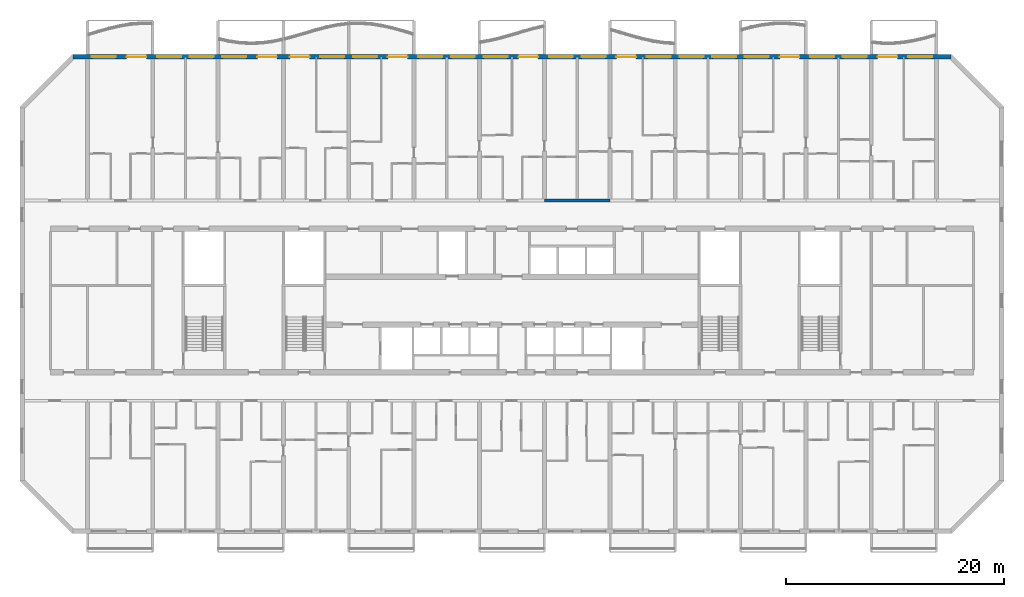
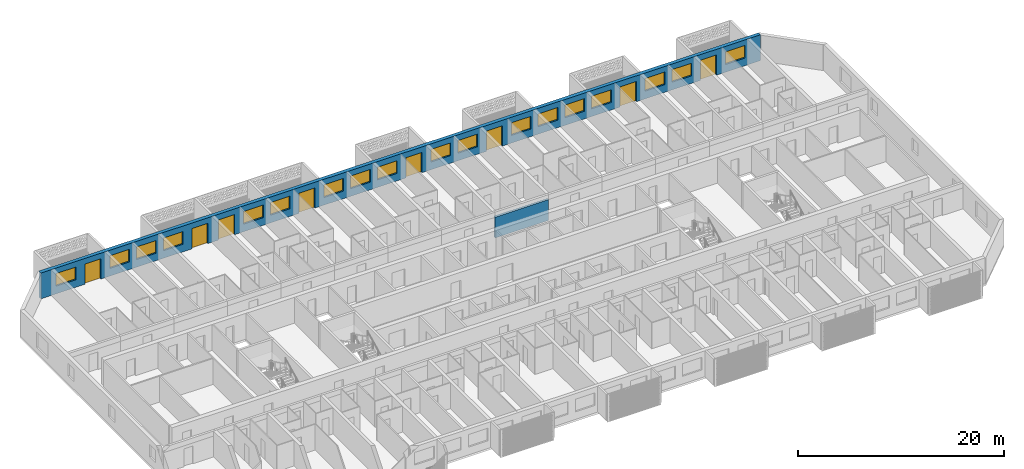
# One storey, part 12 of 25: 18 windows, 8 doors, 2 walls, 26 openings.
"""IFC4 building model written with IfcOpenShell, lengths in metres."""

from ifc_helpers import new_model, si_unit, direction, frame, frame_2d, origin, place, context, subcontext, project, spatial, rectangle, extrude, material, layer, layer_set, type_object, element, fill, save


model = new_model("IFC4")

# Units and contexts
model_context = context("Model", 3, precision=1e-05, world=origin(), true_north=direction((0.0, 1.0)))
body_context = subcontext(model_context, "Body", "Model", "MODEL_VIEW")
ifc_project = project(units=[si_unit("LENGTHUNIT", "METRE"), si_unit("AREAUNIT", "SQUARE_METRE"), si_unit("VOLUMEUNIT", "CUBIC_METRE"), si_unit("PLANEANGLEUNIT", "RADIAN"), si_unit("MASSUNIT", "GRAM", prefix="KILO")], contexts=[model_context])

# Site, building, storey
site_placement = place(None, origin())
site = spatial("IfcSite", under=ifc_project, at=site_placement, CompositionType="ELEMENT")
building_placement = place(site_placement, origin())
building = spatial("IfcBuilding", under=site, at=building_placement, Name="Poui Terraces", CompositionType="ELEMENT")
storey_placement = place(building_placement, frame((0.0, 0.0, 89.39990234375)))
storey = spatial("IfcBuildingStorey", under=building, at=storey_placement, Name="L24", CompositionType="ELEMENT", Elevation=89.39990234375)

# Wall
ifc_material_1 = material(Name="Concrete 65 MPa", Category="concrete")
ifc_layer_1 = layer(ifc_material_1, 0.25)
ifc_layer_set_1 = layer_set([ifc_layer_1], Name="Concrete 65 MPa")
wall_type_1 = type_object("IfcWallType", Name="CORRIDOR WALL 250 65MPa", PredefinedType="SHEAR", material=ifc_layer_set_1)
wall_1_placement = place(storey_placement, frame((54.0, 30.39990234375, 0.0), z_axis=(0.0, 0.0, 1.0), x_axis=(1.0, 0.0, 0.0)))
element("IfcWall", 1, at=wall_1_placement, inside=storey, type_object=wall_type_1, Name="CORRIDOR WALL LINE E BAY 9", PredefinedType="SHEAR", context=body_context, shape_type="SweptSolid", body=[
    extrude(rectangle(XDim=6.0, YDim=0.25, at=frame_2d((3.0, 0.0))), origin(), (0.0, 0.0, 1.0), 2.460205078125),
])

# Wall, openings, doors, windows
ifc_material_2 = material(Name="Precast concrete 40 MPa", Category="concrete")
ifc_layer_2 = layer(ifc_material_2, 0.39990234375)
ifc_layer_set_2 = layer_set([ifc_layer_2], Name="Precast concrete 40 MPa")
wall_type_2 = type_object("IfcWallType", Name="EXTERNAL WALL 400", PredefinedType="STANDARD", material=ifc_layer_set_2)
wall_2_placement = place(storey_placement, frame((91.317138671875, 43.60009765625, 0.0), z_axis=(0.0, 0.0, 1.0), x_axis=(-1.0, 0.0, 0.0)))
wall_2 = element("IfcWall", 2, at=wall_2_placement, inside=storey, type_object=wall_type_2, Name="EXTERNAL WALL N", PredefinedType="STANDARD", context=body_context, shape_type="SweptSolid", body=[
    extrude(rectangle(XDim=80.63427734375, YDim=0.39990234375, at=frame_2d((40.317138671875, 0.0))), origin(), (0.0, 0.0, 1.0), 3.06005859375),
])
opening_1_placement = place(wall_2_placement, frame((76.71728515625, 0.0, 0.89990234375)))
opening_1 = element("IfcOpeningElement", 3, at=opening_1_placement, cuts=wall_2, Name="Opening W1", PredefinedType="OPENING", context=body_context, shape_type="SweptSolid", body=[
    extrude(rectangle(XDim=2.199951171875, YDim=1.5, at=frame_2d((1.10009765625, 0.75))), frame((0.0, 0.2099609375, 0.0), z_axis=(0.0, -1.0, 0.0), x_axis=(1.0, 0.0, 0.0)), (0.0, 0.0, 1.0), 0.419921875),
])
opening_2_placement = place(wall_2_placement, frame((73.917236328125, 0.0, 0.0)))
opening_2 = element("IfcOpeningElement", 4, at=opening_2_placement, cuts=wall_2, Name="Opening BD1", PredefinedType="OPENING", context=body_context, shape_type="SweptSolid", body=[
    extrude(rectangle(XDim=1.800048828125, YDim=2.39990234375, at=frame_2d((0.89990234375, 1.199951171875))), frame((0.0, 0.2099609375, 0.0), z_axis=(0.0, -1.0, 0.0), x_axis=(1.0, 0.0, 0.0)), (0.0, 0.0, 1.0), 0.419921875),
])
opening_3_placement = place(wall_2_placement, frame((70.71728515625, 0.0, 0.89990234375)))
opening_3 = element("IfcOpeningElement", 5, at=opening_3_placement, cuts=wall_2, Name="Opening W1", PredefinedType="OPENING", context=body_context, shape_type="SweptSolid", body=[
    extrude(rectangle(XDim=2.199951171875, YDim=1.5, at=frame_2d((1.10009765625, 0.75))), frame((0.0, 0.2099609375, 0.0), z_axis=(0.0, -1.0, 0.0), x_axis=(1.0, 0.0, 0.0)), (0.0, 0.0, 1.0), 0.419921875),
])
opening_4_placement = place(wall_2_placement, frame((67.71728515625, 0.0, 0.89990234375)))
opening_4 = element("IfcOpeningElement", 6, at=opening_4_placement, cuts=wall_2, Name="Opening W1", PredefinedType="OPENING", context=body_context, shape_type="SweptSolid", body=[
    extrude(rectangle(XDim=2.199951171875, YDim=1.5, at=frame_2d((1.10009765625, 0.75))), frame((0.0, 0.2099609375, 0.0), z_axis=(0.0, -1.0, 0.0), x_axis=(1.0, 0.0, 0.0)), (0.0, 0.0, 1.0), 0.419921875),
])
opening_5_placement = place(wall_2_placement, frame((64.71728515625, 0.0, 0.89990234375)))
opening_5 = element("IfcOpeningElement", 7, at=opening_5_placement, cuts=wall_2, Name="Opening W1", PredefinedType="OPENING", context=body_context, shape_type="SweptSolid", body=[
    extrude(rectangle(XDim=2.199951171875, YDim=1.5, at=frame_2d((1.10009765625, 0.75))), frame((0.0, 0.2099609375, 0.0), z_axis=(0.0, -1.0, 0.0), x_axis=(1.0, 0.0, 0.0)), (0.0, 0.0, 1.0), 0.419921875),
])
opening_6_placement = place(wall_2_placement, frame((61.917236328125, 0.0, 0.0)))
opening_6 = element("IfcOpeningElement", 8, at=opening_6_placement, cuts=wall_2, Name="Opening BD1", PredefinedType="OPENING", context=body_context, shape_type="SweptSolid", body=[
    extrude(rectangle(XDim=1.800048828125, YDim=2.39990234375, at=frame_2d((0.89990234375, 1.199951171875))), frame((0.0, 0.2099609375, 0.0), z_axis=(0.0, -1.0, 0.0), x_axis=(1.0, 0.0, 0.0)), (0.0, 0.0, 1.0), 0.419921875),
])
opening_7_placement = place(wall_2_placement, frame((58.917236328125, 0.0, 0.0)))
opening_7 = element("IfcOpeningElement", 9, at=opening_7_placement, cuts=wall_2, Name="Opening BD1", PredefinedType="OPENING", context=body_context, shape_type="SweptSolid", body=[
    extrude(rectangle(XDim=1.800048828125, YDim=2.39990234375, at=frame_2d((0.89990234375, 1.199951171875))), frame((0.0, 0.2099609375, 0.0), z_axis=(0.0, -1.0, 0.0), x_axis=(1.0, 0.0, 0.0)), (0.0, 0.0, 1.0), 0.419921875),
])
opening_8_placement = place(wall_2_placement, frame((55.71728515625, 0.0, 0.89990234375)))
opening_8 = element("IfcOpeningElement", 10, at=opening_8_placement, cuts=wall_2, Name="Opening W1", PredefinedType="OPENING", context=body_context, shape_type="SweptSolid", body=[
    extrude(rectangle(XDim=2.199951171875, YDim=1.5, at=frame_2d((1.10009765625, 0.75))), frame((0.0, 0.2099609375, 0.0), z_axis=(0.0, -1.0, 0.0), x_axis=(1.0, 0.0, 0.0)), (0.0, 0.0, 1.0), 0.419921875),
])
opening_9_placement = place(wall_2_placement, frame((52.71728515625, 0.0, 0.89990234375)))
opening_9 = element("IfcOpeningElement", 11, at=opening_9_placement, cuts=wall_2, Name="Opening W1", PredefinedType="OPENING", context=body_context, shape_type="SweptSolid", body=[
    extrude(rectangle(XDim=2.199951171875, YDim=1.5, at=frame_2d((1.10009765625, 0.75))), frame((0.0, 0.2099609375, 0.0), z_axis=(0.0, -1.0, 0.0), x_axis=(1.0, 0.0, 0.0)), (0.0, 0.0, 1.0), 0.419921875),
])
opening_10_placement = place(wall_2_placement, frame((49.917236328125, 0.0, 0.0)))
opening_10 = element("IfcOpeningElement", 12, at=opening_10_placement, cuts=wall_2, Name="Opening BD1", PredefinedType="OPENING", context=body_context, shape_type="SweptSolid", body=[
    extrude(rectangle(XDim=1.800048828125, YDim=2.39990234375, at=frame_2d((0.89990234375, 1.199951171875))), frame((0.0, 0.2099609375, 0.0), z_axis=(0.0, -1.0, 0.0), x_axis=(1.0, 0.0, 0.0)), (0.0, 0.0, 1.0), 0.419921875),
])
opening_11_placement = place(wall_2_placement, frame((46.71728515625, 0.0, 0.89990234375)))
opening_11 = element("IfcOpeningElement", 13, at=opening_11_placement, cuts=wall_2, Name="Opening W1", PredefinedType="OPENING", context=body_context, shape_type="SweptSolid", body=[
    extrude(rectangle(XDim=2.199951171875, YDim=1.5, at=frame_2d((1.10009765625, 0.75))), frame((0.0, 0.2099609375, 0.0), z_axis=(0.0, -1.0, 0.0), x_axis=(1.0, 0.0, 0.0)), (0.0, 0.0, 1.0), 0.419921875),
])
opening_12_placement = place(wall_2_placement, frame((43.71728515625, 0.0, 0.89990234375)))
opening_12 = element("IfcOpeningElement", 14, at=opening_12_placement, cuts=wall_2, Name="Opening W1", PredefinedType="OPENING", context=body_context, shape_type="SweptSolid", body=[
    extrude(rectangle(XDim=2.199951171875, YDim=1.5, at=frame_2d((1.10009765625, 0.75))), frame((0.0, 0.2099609375, 0.0), z_axis=(0.0, -1.0, 0.0), x_axis=(1.0, 0.0, 0.0)), (0.0, 0.0, 1.0), 0.419921875),
])
opening_13_placement = place(wall_2_placement, frame((40.71728515625, 0.0, 0.89990234375)))
opening_13 = element("IfcOpeningElement", 15, at=opening_13_placement, cuts=wall_2, Name="Opening W1", PredefinedType="OPENING", context=body_context, shape_type="SweptSolid", body=[
    extrude(rectangle(XDim=2.199951171875, YDim=1.5, at=frame_2d((1.10009765625, 0.75))), frame((0.0, 0.2099609375, 0.0), z_axis=(0.0, -1.0, 0.0), x_axis=(1.0, 0.0, 0.0)), (0.0, 0.0, 1.0), 0.419921875),
])
opening_14_placement = place(wall_2_placement, frame((37.917236328125, 0.0, 0.0)))
opening_14 = element("IfcOpeningElement", 16, at=opening_14_placement, cuts=wall_2, Name="Opening BD1", PredefinedType="OPENING", context=body_context, shape_type="SweptSolid", body=[
    extrude(rectangle(XDim=1.800048828125, YDim=2.39990234375, at=frame_2d((0.89990234375, 1.199951171875))), frame((0.0, 0.2099609375, 0.0), z_axis=(0.0, -1.0, 0.0), x_axis=(1.0, 0.0, 0.0)), (0.0, 0.0, 1.0), 0.419921875),
])
opening_15_placement = place(wall_2_placement, frame((34.71728515625, 0.0, 0.89990234375)))
opening_15 = element("IfcOpeningElement", 17, at=opening_15_placement, cuts=wall_2, Name="Opening W1", PredefinedType="OPENING", context=body_context, shape_type="SweptSolid", body=[
    extrude(rectangle(XDim=2.199951171875, YDim=1.5, at=frame_2d((1.10009765625, 0.75))), frame((0.0, 0.2099609375, 0.0), z_axis=(0.0, -1.0, 0.0), x_axis=(1.0, 0.0, 0.0)), (0.0, 0.0, 1.0), 0.419921875),
])
opening_16_placement = place(wall_2_placement, frame((31.71728515625, 0.0, 0.89990234375)))
opening_16 = element("IfcOpeningElement", 18, at=opening_16_placement, cuts=wall_2, Name="Opening W1", PredefinedType="OPENING", context=body_context, shape_type="SweptSolid", body=[
    extrude(rectangle(XDim=2.199951171875, YDim=1.5, at=frame_2d((1.10009765625, 0.75))), frame((0.0, 0.2099609375, 0.0), z_axis=(0.0, -1.0, 0.0), x_axis=(1.0, 0.0, 0.0)), (0.0, 0.0, 1.0), 0.419921875),
])
opening_17_placement = place(wall_2_placement, frame((28.917236328125, 0.0, 0.0)))
opening_17 = element("IfcOpeningElement", 19, at=opening_17_placement, cuts=wall_2, Name="Opening BD1", PredefinedType="OPENING", context=body_context, shape_type="SweptSolid", body=[
    extrude(rectangle(XDim=1.800048828125, YDim=2.39990234375, at=frame_2d((0.89990234375, 1.199951171875))), frame((0.0, 0.2099609375, 0.0), z_axis=(0.0, -1.0, 0.0), x_axis=(1.0, 0.0, 0.0)), (0.0, 0.0, 1.0), 0.419921875),
])
opening_18_placement = place(wall_2_placement, frame((25.71728515625, 0.0, 0.89990234375)))
opening_18 = element("IfcOpeningElement", 20, at=opening_18_placement, cuts=wall_2, Name="Opening W1", PredefinedType="OPENING", context=body_context, shape_type="SweptSolid", body=[
    extrude(rectangle(XDim=2.199951171875, YDim=1.5, at=frame_2d((1.10009765625, 0.75))), frame((0.0, 0.2099609375, 0.0), z_axis=(0.0, -1.0, 0.0), x_axis=(1.0, 0.0, 0.0)), (0.0, 0.0, 1.0), 0.419921875),
])
opening_19_placement = place(wall_2_placement, frame((22.71728515625, 0.0, 0.89990234375)))
opening_19 = element("IfcOpeningElement", 21, at=opening_19_placement, cuts=wall_2, Name="Opening W1", PredefinedType="OPENING", context=body_context, shape_type="SweptSolid", body=[
    extrude(rectangle(XDim=2.199951171875, YDim=1.5, at=frame_2d((1.10009765625, 0.75))), frame((0.0, 0.2099609375, 0.0), z_axis=(0.0, -1.0, 0.0), x_axis=(1.0, 0.0, 0.0)), (0.0, 0.0, 1.0), 0.419921875),
])
opening_20_placement = place(wall_2_placement, frame((19.71728515625, 0.0, 0.89990234375)))
opening_20 = element("IfcOpeningElement", 22, at=opening_20_placement, cuts=wall_2, Name="Opening W1", PredefinedType="OPENING", context=body_context, shape_type="SweptSolid", body=[
    extrude(rectangle(XDim=2.199951171875, YDim=1.5, at=frame_2d((1.10009765625, 0.75))), frame((0.0, 0.2099609375, 0.0), z_axis=(0.0, -1.0, 0.0), x_axis=(1.0, 0.0, 0.0)), (0.0, 0.0, 1.0), 0.419921875),
])
opening_21_placement = place(wall_2_placement, frame((16.71728515625, 0.0, 0.89990234375)))
opening_21 = element("IfcOpeningElement", 23, at=opening_21_placement, cuts=wall_2, Name="Opening W1", PredefinedType="OPENING", context=body_context, shape_type="SweptSolid", body=[
    extrude(rectangle(XDim=2.199951171875, YDim=1.5, at=frame_2d((1.10009765625, 0.75))), frame((0.0, 0.2099609375, 0.0), z_axis=(0.0, -1.0, 0.0), x_axis=(1.0, 0.0, 0.0)), (0.0, 0.0, 1.0), 0.419921875),
])
opening_22_placement = place(wall_2_placement, frame((13.917236328125, 0.0, 0.0)))
opening_22 = element("IfcOpeningElement", 24, at=opening_22_placement, cuts=wall_2, Name="Opening BD1", PredefinedType="OPENING", context=body_context, shape_type="SweptSolid", body=[
    extrude(rectangle(XDim=1.800048828125, YDim=2.39990234375, at=frame_2d((0.89990234375, 1.199951171875))), frame((0.0, 0.2099609375, 0.0), z_axis=(0.0, -1.0, 0.0), x_axis=(1.0, 0.0, 0.0)), (0.0, 0.0, 1.0), 0.419921875),
])
opening_23_placement = place(wall_2_placement, frame((10.71728515625, 0.0, 0.89990234375)))
opening_23 = element("IfcOpeningElement", 25, at=opening_23_placement, cuts=wall_2, Name="Opening W1", PredefinedType="OPENING", context=body_context, shape_type="SweptSolid", body=[
    extrude(rectangle(XDim=2.199951171875, YDim=1.5, at=frame_2d((1.10009765625, 0.75))), frame((0.0, 0.2099609375, 0.0), z_axis=(0.0, -1.0, 0.0), x_axis=(1.0, 0.0, 0.0)), (0.0, 0.0, 1.0), 0.419921875),
])
opening_24_placement = place(wall_2_placement, frame((7.71728515625, 0.0, 0.89990234375)))
opening_24 = element("IfcOpeningElement", 26, at=opening_24_placement, cuts=wall_2, Name="Opening W1", PredefinedType="OPENING", context=body_context, shape_type="SweptSolid", body=[
    extrude(rectangle(XDim=2.199951171875, YDim=1.5, at=frame_2d((1.10009765625, 0.75))), frame((0.0, 0.2099609375, 0.0), z_axis=(0.0, -1.0, 0.0), x_axis=(1.0, 0.0, 0.0)), (0.0, 0.0, 1.0), 0.419921875),
])
opening_25_placement = place(wall_2_placement, frame((4.917236328125, 0.0, 0.0)))
opening_25 = element("IfcOpeningElement", 27, at=opening_25_placement, cuts=wall_2, Name="Opening BD1", PredefinedType="OPENING", context=body_context, shape_type="SweptSolid", body=[
    extrude(rectangle(XDim=1.800048828125, YDim=2.39990234375, at=frame_2d((0.89990234375, 1.199951171875))), frame((0.0, 0.2099609375, 0.0), z_axis=(0.0, -1.0, 0.0), x_axis=(1.0, 0.0, 0.0)), (0.0, 0.0, 1.0), 0.419921875),
])
opening_26_placement = place(wall_2_placement, frame((1.71728515625, 0.0, 0.89990234375)))
opening_26 = element("IfcOpeningElement", 28, at=opening_26_placement, cuts=wall_2, Name="Opening W1", PredefinedType="OPENING", context=body_context, shape_type="SweptSolid", body=[
    extrude(rectangle(XDim=2.199951171875, YDim=1.5, at=frame_2d((1.10009765625, 0.75))), frame((0.0, 0.2099609375, 0.0), z_axis=(0.0, -1.0, 0.0), x_axis=(1.0, 0.0, 0.0)), (0.0, 0.0, 1.0), 0.419921875),
])
ifc_material_3 = material(Name="Clear glass in aluminium frame", Category="aluminium")
door_type = type_object("IfcDoorType", Name="BALCONY DOOR 1800X2400", OperationType="DOUBLE_DOOR_SLIDING", PredefinedType="DOOR", material=ifc_material_3)
door_1_placement = place(opening_2_placement, origin())
door_1 = element("IfcDoor", 29, at=door_1_placement, inside=storey, type_object=door_type, Name="BD1 BALCONY DOOR", OperationType="DOUBLE_DOOR_SLIDING", OverallHeight=2.39990234375, OverallWidth=1.800048828125, PredefinedType="DOOR", context=body_context, shape_type="SweptSolid", body=[
    extrude(rectangle(XDim=1.800048828125, YDim=2.39990234375, at=frame_2d((0.89990234375, 1.199951171875))), frame((0.0, 0.02490234375, 0.0), z_axis=(0.0, -1.0, 0.0), x_axis=(1.0, 0.0, 0.0)), (0.0, 0.0, 1.0), 0.050048828125),
])
fill(opening_2, door_1)
door_2_placement = place(opening_6_placement, origin())
door_2 = element("IfcDoor", 30, at=door_2_placement, inside=storey, type_object=door_type, Name="BD1 BALCONY DOOR", OperationType="DOUBLE_DOOR_SLIDING", OverallHeight=2.39990234375, OverallWidth=1.800048828125, PredefinedType="DOOR", context=body_context, shape_type="SweptSolid", body=[
    extrude(rectangle(XDim=1.800048828125, YDim=2.39990234375, at=frame_2d((0.89990234375, 1.199951171875))), frame((0.0, 0.02490234375, 0.0), z_axis=(0.0, -1.0, 0.0), x_axis=(1.0, 0.0, 0.0)), (0.0, 0.0, 1.0), 0.050048828125),
])
fill(opening_6, door_2)
door_3_placement = place(opening_7_placement, origin())
door_3 = element("IfcDoor", 31, at=door_3_placement, inside=storey, type_object=door_type, Name="BD1 BALCONY DOOR", OperationType="DOUBLE_DOOR_SLIDING", OverallHeight=2.39990234375, OverallWidth=1.800048828125, PredefinedType="DOOR", context=body_context, shape_type="SweptSolid", body=[
    extrude(rectangle(XDim=1.800048828125, YDim=2.39990234375, at=frame_2d((0.89990234375, 1.199951171875))), frame((0.0, 0.02490234375, 0.0), z_axis=(0.0, -1.0, 0.0), x_axis=(1.0, 0.0, 0.0)), (0.0, 0.0, 1.0), 0.050048828125),
])
fill(opening_7, door_3)
door_4_placement = place(opening_10_placement, origin())
door_4 = element("IfcDoor", 32, at=door_4_placement, inside=storey, type_object=door_type, Name="BD1 BALCONY DOOR", OperationType="DOUBLE_DOOR_SLIDING", OverallHeight=2.39990234375, OverallWidth=1.800048828125, PredefinedType="DOOR", context=body_context, shape_type="SweptSolid", body=[
    extrude(rectangle(XDim=1.800048828125, YDim=2.39990234375, at=frame_2d((0.89990234375, 1.199951171875))), frame((0.0, 0.02490234375, 0.0), z_axis=(0.0, -1.0, 0.0), x_axis=(1.0, 0.0, 0.0)), (0.0, 0.0, 1.0), 0.050048828125),
])
fill(opening_10, door_4)
door_5_placement = place(opening_14_placement, origin())
door_5 = element("IfcDoor", 33, at=door_5_placement, inside=storey, type_object=door_type, Name="BD1 BALCONY DOOR", OperationType="DOUBLE_DOOR_SLIDING", OverallHeight=2.39990234375, OverallWidth=1.800048828125, PredefinedType="DOOR", context=body_context, shape_type="SweptSolid", body=[
    extrude(rectangle(XDim=1.800048828125, YDim=2.39990234375, at=frame_2d((0.89990234375, 1.199951171875))), frame((0.0, 0.02490234375, 0.0), z_axis=(0.0, -1.0, 0.0), x_axis=(1.0, 0.0, 0.0)), (0.0, 0.0, 1.0), 0.050048828125),
])
fill(opening_14, door_5)
door_6_placement = place(opening_17_placement, origin())
door_6 = element("IfcDoor", 34, at=door_6_placement, inside=storey, type_object=door_type, Name="BD1 BALCONY DOOR", OperationType="DOUBLE_DOOR_SLIDING", OverallHeight=2.39990234375, OverallWidth=1.800048828125, PredefinedType="DOOR", context=body_context, shape_type="SweptSolid", body=[
    extrude(rectangle(XDim=1.800048828125, YDim=2.39990234375, at=frame_2d((0.89990234375, 1.199951171875))), frame((0.0, 0.02490234375, 0.0), z_axis=(0.0, -1.0, 0.0), x_axis=(1.0, 0.0, 0.0)), (0.0, 0.0, 1.0), 0.050048828125),
])
fill(opening_17, door_6)
door_7_placement = place(opening_22_placement, origin())
door_7 = element("IfcDoor", 35, at=door_7_placement, inside=storey, type_object=door_type, Name="BD1 BALCONY DOOR", OperationType="DOUBLE_DOOR_SLIDING", OverallHeight=2.39990234375, OverallWidth=1.800048828125, PredefinedType="DOOR", context=body_context, shape_type="SweptSolid", body=[
    extrude(rectangle(XDim=1.800048828125, YDim=2.39990234375, at=frame_2d((0.89990234375, 1.199951171875))), frame((0.0, 0.02490234375, 0.0), z_axis=(0.0, -1.0, 0.0), x_axis=(1.0, 0.0, 0.0)), (0.0, 0.0, 1.0), 0.050048828125),
])
fill(opening_22, door_7)
door_8_placement = place(opening_25_placement, origin())
door_8 = element("IfcDoor", 36, at=door_8_placement, inside=storey, type_object=door_type, Name="BD1 BALCONY DOOR", OperationType="DOUBLE_DOOR_SLIDING", OverallHeight=2.39990234375, OverallWidth=1.800048828125, PredefinedType="DOOR", context=body_context, shape_type="SweptSolid", body=[
    extrude(rectangle(XDim=1.800048828125, YDim=2.39990234375, at=frame_2d((0.89990234375, 1.199951171875))), frame((0.0, 0.02490234375, 0.0), z_axis=(0.0, -1.0, 0.0), x_axis=(1.0, 0.0, 0.0)), (0.0, 0.0, 1.0), 0.050048828125),
])
fill(opening_25, door_8)
window_type = type_object("IfcWindowType", Name="WINDOW 2200X1500", PartitioningType="DOUBLE_PANEL_HORIZONTAL", PredefinedType="WINDOW", material=ifc_material_3)
window_1_placement = place(opening_1_placement, origin())
window_1 = element("IfcWindow", 37, at=window_1_placement, inside=storey, type_object=window_type, Name="W1 WINDOW", OverallHeight=1.5, OverallWidth=2.199951171875, PartitioningType="DOUBLE_PANEL_HORIZONTAL", PredefinedType="WINDOW", context=body_context, shape_type="SweptSolid", body=[
    extrude(rectangle(XDim=2.199951171875, YDim=1.5, at=frame_2d((1.10009765625, 0.75))), frame((0.0, 0.030029296875, 0.0), z_axis=(0.0, -1.0, 0.0), x_axis=(1.0, 0.0, 0.0)), (0.0, 0.0, 1.0), 0.06005859375),
])
fill(opening_1, window_1)
window_2_placement = place(opening_3_placement, origin())
window_2 = element("IfcWindow", 38, at=window_2_placement, inside=storey, type_object=window_type, Name="W1 WINDOW", OverallHeight=1.5, OverallWidth=2.199951171875, PartitioningType="DOUBLE_PANEL_HORIZONTAL", PredefinedType="WINDOW", context=body_context, shape_type="SweptSolid", body=[
    extrude(rectangle(XDim=2.199951171875, YDim=1.5, at=frame_2d((1.10009765625, 0.75))), frame((0.0, 0.030029296875, 0.0), z_axis=(0.0, -1.0, 0.0), x_axis=(1.0, 0.0, 0.0)), (0.0, 0.0, 1.0), 0.06005859375),
])
fill(opening_3, window_2)
window_3_placement = place(opening_4_placement, origin())
window_3 = element("IfcWindow", 39, at=window_3_placement, inside=storey, type_object=window_type, Name="W1 WINDOW", OverallHeight=1.5, OverallWidth=2.199951171875, PartitioningType="DOUBLE_PANEL_HORIZONTAL", PredefinedType="WINDOW", context=body_context, shape_type="SweptSolid", body=[
    extrude(rectangle(XDim=2.199951171875, YDim=1.5, at=frame_2d((1.10009765625, 0.75))), frame((0.0, 0.030029296875, 0.0), z_axis=(0.0, -1.0, 0.0), x_axis=(1.0, 0.0, 0.0)), (0.0, 0.0, 1.0), 0.06005859375),
])
fill(opening_4, window_3)
window_4_placement = place(opening_5_placement, origin())
window_4 = element("IfcWindow", 40, at=window_4_placement, inside=storey, type_object=window_type, Name="W1 WINDOW", OverallHeight=1.5, OverallWidth=2.199951171875, PartitioningType="DOUBLE_PANEL_HORIZONTAL", PredefinedType="WINDOW", context=body_context, shape_type="SweptSolid", body=[
    extrude(rectangle(XDim=2.199951171875, YDim=1.5, at=frame_2d((1.10009765625, 0.75))), frame((0.0, 0.030029296875, 0.0), z_axis=(0.0, -1.0, 0.0), x_axis=(1.0, 0.0, 0.0)), (0.0, 0.0, 1.0), 0.06005859375),
])
fill(opening_5, window_4)
window_5_placement = place(opening_8_placement, origin())
window_5 = element("IfcWindow", 41, at=window_5_placement, inside=storey, type_object=window_type, Name="W1 WINDOW", OverallHeight=1.5, OverallWidth=2.199951171875, PartitioningType="DOUBLE_PANEL_HORIZONTAL", PredefinedType="WINDOW", context=body_context, shape_type="SweptSolid", body=[
    extrude(rectangle(XDim=2.199951171875, YDim=1.5, at=frame_2d((1.10009765625, 0.75))), frame((0.0, 0.030029296875, 0.0), z_axis=(0.0, -1.0, 0.0), x_axis=(1.0, 0.0, 0.0)), (0.0, 0.0, 1.0), 0.06005859375),
])
fill(opening_8, window_5)
window_6_placement = place(opening_9_placement, origin())
window_6 = element("IfcWindow", 42, at=window_6_placement, inside=storey, type_object=window_type, Name="W1 WINDOW", OverallHeight=1.5, OverallWidth=2.199951171875, PartitioningType="DOUBLE_PANEL_HORIZONTAL", PredefinedType="WINDOW", context=body_context, shape_type="SweptSolid", body=[
    extrude(rectangle(XDim=2.199951171875, YDim=1.5, at=frame_2d((1.10009765625, 0.75))), frame((0.0, 0.030029296875, 0.0), z_axis=(0.0, -1.0, 0.0), x_axis=(1.0, 0.0, 0.0)), (0.0, 0.0, 1.0), 0.06005859375),
])
fill(opening_9, window_6)
window_7_placement = place(opening_11_placement, origin())
window_7 = element("IfcWindow", 43, at=window_7_placement, inside=storey, type_object=window_type, Name="W1 WINDOW", OverallHeight=1.5, OverallWidth=2.199951171875, PartitioningType="DOUBLE_PANEL_HORIZONTAL", PredefinedType="WINDOW", context=body_context, shape_type="SweptSolid", body=[
    extrude(rectangle(XDim=2.199951171875, YDim=1.5, at=frame_2d((1.10009765625, 0.75))), frame((0.0, 0.030029296875, 0.0), z_axis=(0.0, -1.0, 0.0), x_axis=(1.0, 0.0, 0.0)), (0.0, 0.0, 1.0), 0.06005859375),
])
fill(opening_11, window_7)
window_8_placement = place(opening_12_placement, origin())
window_8 = element("IfcWindow", 44, at=window_8_placement, inside=storey, type_object=window_type, Name="W1 WINDOW", OverallHeight=1.5, OverallWidth=2.199951171875, PartitioningType="DOUBLE_PANEL_HORIZONTAL", PredefinedType="WINDOW", context=body_context, shape_type="SweptSolid", body=[
    extrude(rectangle(XDim=2.199951171875, YDim=1.5, at=frame_2d((1.10009765625, 0.75))), frame((0.0, 0.030029296875, 0.0), z_axis=(0.0, -1.0, 0.0), x_axis=(1.0, 0.0, 0.0)), (0.0, 0.0, 1.0), 0.06005859375),
])
fill(opening_12, window_8)
window_9_placement = place(opening_13_placement, origin())
window_9 = element("IfcWindow", 45, at=window_9_placement, inside=storey, type_object=window_type, Name="W1 WINDOW", OverallHeight=1.5, OverallWidth=2.199951171875, PartitioningType="DOUBLE_PANEL_HORIZONTAL", PredefinedType="WINDOW", context=body_context, shape_type="SweptSolid", body=[
    extrude(rectangle(XDim=2.199951171875, YDim=1.5, at=frame_2d((1.10009765625, 0.75))), frame((0.0, 0.030029296875, 0.0), z_axis=(0.0, -1.0, 0.0), x_axis=(1.0, 0.0, 0.0)), (0.0, 0.0, 1.0), 0.06005859375),
])
fill(opening_13, window_9)
window_10_placement = place(opening_15_placement, origin())
window_10 = element("IfcWindow", 46, at=window_10_placement, inside=storey, type_object=window_type, Name="W1 WINDOW", OverallHeight=1.5, OverallWidth=2.199951171875, PartitioningType="DOUBLE_PANEL_HORIZONTAL", PredefinedType="WINDOW", context=body_context, shape_type="SweptSolid", body=[
    extrude(rectangle(XDim=2.199951171875, YDim=1.5, at=frame_2d((1.10009765625, 0.75))), frame((0.0, 0.030029296875, 0.0), z_axis=(0.0, -1.0, 0.0), x_axis=(1.0, 0.0, 0.0)), (0.0, 0.0, 1.0), 0.06005859375),
])
fill(opening_15, window_10)
window_11_placement = place(opening_16_placement, origin())
window_11 = element("IfcWindow", 47, at=window_11_placement, inside=storey, type_object=window_type, Name="W1 WINDOW", OverallHeight=1.5, OverallWidth=2.199951171875, PartitioningType="DOUBLE_PANEL_HORIZONTAL", PredefinedType="WINDOW", context=body_context, shape_type="SweptSolid", body=[
    extrude(rectangle(XDim=2.199951171875, YDim=1.5, at=frame_2d((1.10009765625, 0.75))), frame((0.0, 0.030029296875, 0.0), z_axis=(0.0, -1.0, 0.0), x_axis=(1.0, 0.0, 0.0)), (0.0, 0.0, 1.0), 0.06005859375),
])
fill(opening_16, window_11)
window_12_placement = place(opening_18_placement, origin())
window_12 = element("IfcWindow", 48, at=window_12_placement, inside=storey, type_object=window_type, Name="W1 WINDOW", OverallHeight=1.5, OverallWidth=2.199951171875, PartitioningType="DOUBLE_PANEL_HORIZONTAL", PredefinedType="WINDOW", context=body_context, shape_type="SweptSolid", body=[
    extrude(rectangle(XDim=2.199951171875, YDim=1.5, at=frame_2d((1.10009765625, 0.75))), frame((0.0, 0.030029296875, 0.0), z_axis=(0.0, -1.0, 0.0), x_axis=(1.0, 0.0, 0.0)), (0.0, 0.0, 1.0), 0.06005859375),
])
fill(opening_18, window_12)
window_13_placement = place(opening_19_placement, origin())
window_13 = element("IfcWindow", 49, at=window_13_placement, inside=storey, type_object=window_type, Name="W1 WINDOW", OverallHeight=1.5, OverallWidth=2.199951171875, PartitioningType="DOUBLE_PANEL_HORIZONTAL", PredefinedType="WINDOW", context=body_context, shape_type="SweptSolid", body=[
    extrude(rectangle(XDim=2.199951171875, YDim=1.5, at=frame_2d((1.10009765625, 0.75))), frame((0.0, 0.030029296875, 0.0), z_axis=(0.0, -1.0, 0.0), x_axis=(1.0, 0.0, 0.0)), (0.0, 0.0, 1.0), 0.06005859375),
])
fill(opening_19, window_13)
window_14_placement = place(opening_20_placement, origin())
window_14 = element("IfcWindow", 50, at=window_14_placement, inside=storey, type_object=window_type, Name="W1 WINDOW", OverallHeight=1.5, OverallWidth=2.199951171875, PartitioningType="DOUBLE_PANEL_HORIZONTAL", PredefinedType="WINDOW", context=body_context, shape_type="SweptSolid", body=[
    extrude(rectangle(XDim=2.199951171875, YDim=1.5, at=frame_2d((1.10009765625, 0.75))), frame((0.0, 0.030029296875, 0.0), z_axis=(0.0, -1.0, 0.0), x_axis=(1.0, 0.0, 0.0)), (0.0, 0.0, 1.0), 0.06005859375),
])
fill(opening_20, window_14)
window_15_placement = place(opening_21_placement, origin())
window_15 = element("IfcWindow", 51, at=window_15_placement, inside=storey, type_object=window_type, Name="W1 WINDOW", OverallHeight=1.5, OverallWidth=2.199951171875, PartitioningType="DOUBLE_PANEL_HORIZONTAL", PredefinedType="WINDOW", context=body_context, shape_type="SweptSolid", body=[
    extrude(rectangle(XDim=2.199951171875, YDim=1.5, at=frame_2d((1.10009765625, 0.75))), frame((0.0, 0.030029296875, 0.0), z_axis=(0.0, -1.0, 0.0), x_axis=(1.0, 0.0, 0.0)), (0.0, 0.0, 1.0), 0.06005859375),
])
fill(opening_21, window_15)
window_16_placement = place(opening_23_placement, origin())
window_16 = element("IfcWindow", 52, at=window_16_placement, inside=storey, type_object=window_type, Name="W1 WINDOW", OverallHeight=1.5, OverallWidth=2.199951171875, PartitioningType="DOUBLE_PANEL_HORIZONTAL", PredefinedType="WINDOW", context=body_context, shape_type="SweptSolid", body=[
    extrude(rectangle(XDim=2.199951171875, YDim=1.5, at=frame_2d((1.10009765625, 0.75))), frame((0.0, 0.030029296875, 0.0), z_axis=(0.0, -1.0, 0.0), x_axis=(1.0, 0.0, 0.0)), (0.0, 0.0, 1.0), 0.06005859375),
])
fill(opening_23, window_16)
window_17_placement = place(opening_24_placement, origin())
window_17 = element("IfcWindow", 53, at=window_17_placement, inside=storey, type_object=window_type, Name="W1 WINDOW", OverallHeight=1.5, OverallWidth=2.199951171875, PartitioningType="DOUBLE_PANEL_HORIZONTAL", PredefinedType="WINDOW", context=body_context, shape_type="SweptSolid", body=[
    extrude(rectangle(XDim=2.199951171875, YDim=1.5, at=frame_2d((1.10009765625, 0.75))), frame((0.0, 0.030029296875, 0.0), z_axis=(0.0, -1.0, 0.0), x_axis=(1.0, 0.0, 0.0)), (0.0, 0.0, 1.0), 0.06005859375),
])
fill(opening_24, window_17)
window_18_placement = place(opening_26_placement, origin())
window_18 = element("IfcWindow", 54, at=window_18_placement, inside=storey, type_object=window_type, Name="W1 WINDOW", OverallHeight=1.5, OverallWidth=2.199951171875, PartitioningType="DOUBLE_PANEL_HORIZONTAL", PredefinedType="WINDOW", context=body_context, shape_type="SweptSolid", body=[
    extrude(rectangle(XDim=2.199951171875, YDim=1.5, at=frame_2d((1.10009765625, 0.75))), frame((0.0, 0.030029296875, 0.0), z_axis=(0.0, -1.0, 0.0), x_axis=(1.0, 0.0, 0.0)), (0.0, 0.0, 1.0), 0.06005859375),
])
fill(opening_26, window_18)

save(model, "model.ifc")
